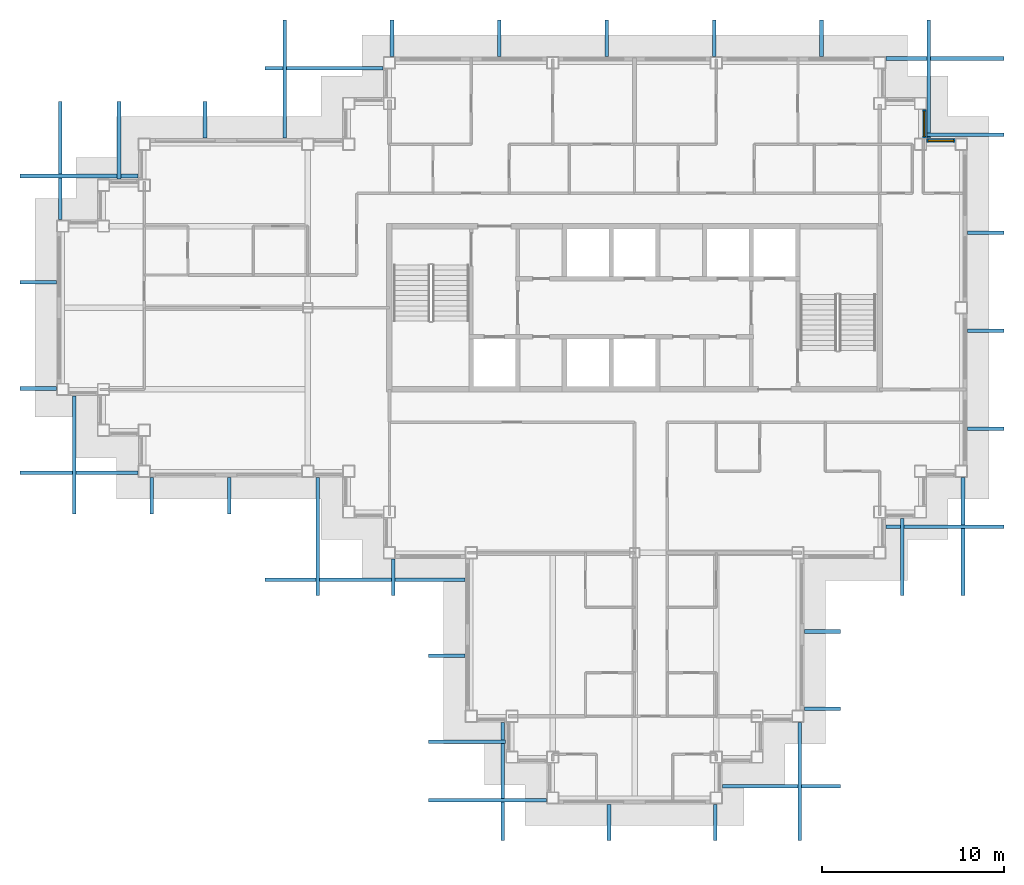
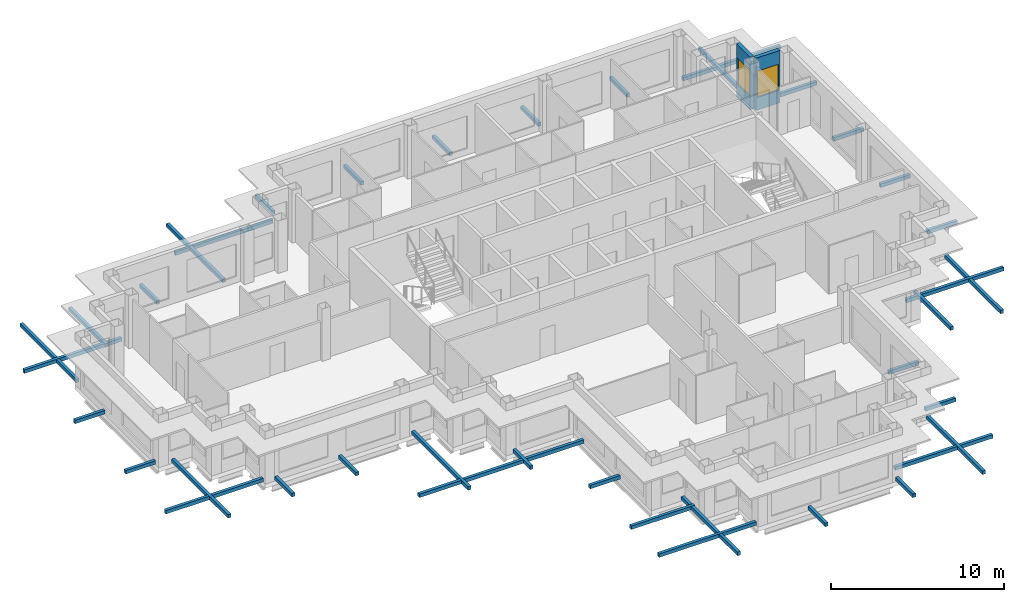
# One storey, part 8 of 12: 39 discrete accessories, 2 walls, 2 windows, 2 openings.
"""IFC4 building model written with IfcOpenShell, lengths in metres."""

import ifcopenshell
import ifcopenshell.guid

model = None  # the IFC model being written
_history = None  # IfcOwnerHistory: only IFC2X3 demands one
_inside = {}  # id of a spatial element -> (the spatial element, [elements in it])
_under = {}  # id of a project, library or spatial element -> (it, [spatial elements below it])
_declared = {}  # id of a project -> (the project, [libraries it declares])
_typed = {}  # id of a type object -> (the type object, [elements of that type])
_made_of = {}  # id of a material, layer set ... -> (it, [elements and type objects made of it])


def new_model(schema):
    """Start an empty IFC model of exactly this schema.

    Asked for "IFC4X3", IfcOpenShell would pick the latest addendum, in which some entities
    have other attributes; the version numbers below select the first issue.
    IFC2X3 requires an IfcOwnerHistory on every rooted entity: one is made here for all.
    """
    global model, _history
    if schema == "IFC4X3":
        model = ifcopenshell.file(schema_version=(4, 3, 0, 0))
    else:
        model = ifcopenshell.file(schema=schema)
    _inside.clear()
    _under.clear()
    _declared.clear()
    _typed.clear()
    _made_of.clear()
    _history = None
    if model.schema == "IFC2X3":
        org = make("IfcOrganization", Name="unknown")
        user = make(
            "IfcPersonAndOrganization",
            ThePerson=make("IfcPerson", FamilyName="unknown"),
            TheOrganization=org,
        )
        app = make(
            "IfcApplication",
            ApplicationDeveloper=org,
            Version="unknown",
            ApplicationFullName="unknown",
            ApplicationIdentifier="unknown",
        )
        _history = make(
            "IfcOwnerHistory",
            OwningUser=user,
            OwningApplication=app,
            ChangeAction="ADDED",
            CreationDate=0,
        )
    return model


def make(cls, **values):
    """One entity of the class cls with the attributes given. An attribute that is None is left unset."""
    return model.create_entity(
        cls, **{name: value for name, value in values.items() if value is not None}
    )


def rooted(cls, **values):
    """An entity with a GlobalId (a new one), such as an element, a storey or a relation."""
    return make(cls, GlobalId=ifcopenshell.guid.new(), OwnerHistory=_history, **values)


def si_unit(unit_type, name, prefix=None):
    """IfcSIUnit, for example si_unit("LENGTHUNIT", "METRE", prefix="MILLI")."""
    return make("IfcSIUnit", UnitType=unit_type, Prefix=prefix, Name=name)


def assignment(units):
    """IfcUnitAssignment: the units of a project."""
    return None if units is None else make("IfcUnitAssignment", Units=units)


def point(xyz):
    """IfcCartesianPoint."""
    return None if xyz is None else make("IfcCartesianPoint", Coordinates=xyz)


def direction(xyz):
    """IfcDirection."""
    return None if xyz is None else make("IfcDirection", DirectionRatios=xyz)


def frame(location, z_axis=None, x_axis=None):
    """IfcAxis2Placement3D, a coordinate frame: its origin and axes. An axis left out is left unset."""
    return make(
        "IfcAxis2Placement3D",
        Location=point(location),
        Axis=direction(z_axis),
        RefDirection=direction(x_axis),
    )


def frame_2d(location, x_axis=None):
    """IfcAxis2Placement2D, a coordinate frame in the plane: its origin and x axis."""
    return make(
        "IfcAxis2Placement2D", Location=point(location), RefDirection=direction(x_axis)
    )


def origin():
    """The frame at (0, 0, 0) with its axes left unset."""
    return frame((0.0, 0.0, 0.0))


def origin_2d():
    """The frame at (0, 0) in the plane with its x axis left unset."""
    return frame_2d((0.0, 0.0))


def place(relative_to, where):
    """IfcLocalPlacement: puts the frame where relative to a parent placement (None: the world)."""
    return make(
        "IfcLocalPlacement", PlacementRelTo=relative_to, RelativePlacement=where
    )


def context(
    kind, dimensions, precision=None, world=None, true_north=None, identifier=None
):
    """IfcGeometricRepresentationContext, for example the 3D "Model" context."""
    return make(
        "IfcGeometricRepresentationContext",
        ContextIdentifier=identifier,
        ContextType=kind,
        CoordinateSpaceDimension=dimensions,
        Precision=precision,
        WorldCoordinateSystem=world,
        TrueNorth=true_north,
    )


def subcontext(parent, identifier, kind, view, scale=None):
    """IfcGeometricRepresentationSubContext, for example "Body" below "Model"."""
    return make(
        "IfcGeometricRepresentationSubContext",
        ContextIdentifier=identifier,
        ContextType=kind,
        ParentContext=parent,
        TargetScale=scale,
        TargetView=view,
    )


def project(units=None, contexts=None):
    """IfcProject with its units and contexts."""
    return rooted(
        "IfcProject",
        Name="project",
        RepresentationContexts=contexts,
        UnitsInContext=assignment(units),
    )


def spatial(cls, under=None, at=None, **own):
    """A site, building, storey or space (cls), placed at a placement, below another one or the project."""
    s = rooted(cls, ObjectPlacement=at, **own)
    if under is not None:
        _under.setdefault(under.id(), (under, []))[1].append(s)
    return s


def profile(cls, at=None, kind="AREA", **sizes):
    """A parametric profile (cls). Its sizes go by their IFC names, for example OverallWidth=200.0."""
    return make(cls, ProfileType=kind, Position=at, **sizes)


def rectangle(**sizes):
    """IfcRectangleProfileDef."""
    return profile("IfcRectangleProfileDef", **sizes)


def extrude(swept, where, along, depth):
    """IfcExtrudedAreaSolid: the profile swept, set in the frame where, extruded along a direction by depth."""
    return make(
        "IfcExtrudedAreaSolid",
        SweptArea=swept,
        Position=where,
        ExtrudedDirection=direction(along),
        Depth=depth,
    )


def shape(context_of_items, identifier, shape_type, items):
    """IfcShapeRepresentation: the items that make up one representation, for example the "Body"."""
    return make(
        "IfcShapeRepresentation",
        ContextOfItems=context_of_items,
        RepresentationIdentifier=identifier,
        RepresentationType=shape_type,
        Items=items,
    )


def material(Name=None, Category=None):
    """IfcMaterial."""
    return make("IfcMaterial", Name=Name, Category=Category)


def layer(
    of_material, thickness, ventilated=None, Name=None, Category=None, Priority=None
):
    """IfcMaterialLayer: one layer of a wall or slab, of a material (None: an air gap)."""
    return make(
        "IfcMaterialLayer",
        Material=of_material,
        LayerThickness=thickness,
        IsVentilated=ventilated,
        Name=Name,
        Category=Category,
        Priority=Priority,
    )


def layer_set(layers, Name=None):
    """IfcMaterialLayerSet."""
    return make("IfcMaterialLayerSet", MaterialLayers=layers, LayerSetName=Name)


def made_of(thing, what):
    """Note that an element or type object is made of a material, layer set ...; save() writes the relation."""
    if what is not None:
        _made_of.setdefault(what.id(), (what, []))[1].append(thing)
    return thing


def type_object(cls, material=None, **own):
    """A type object (cls), such as IfcWallType, which elements share."""
    return made_of(rooted(cls, **own), material)


def element(
    cls,
    number,
    at=None,
    inside=None,
    cuts=None,
    type_object=None,
    material=None,
    context=None,
    identifier="Body",
    shape_type=None,
    held_by="IfcProductDefinitionShape",
    body=None,
    shapes=None,
    **own,
):
    """One element of the class cls, such as IfcWall. Its Tag is "e" and its number.

    at: its placement. inside: the storey or other place that contains it. cuts: it is an
    opening in that element (IfcRelVoidsElement). A single representation is given by context,
    identifier, shape_type and body (its items); several are given by shapes. held_by: the class
    of the entity that holds the representations. save() writes the other relations.
    """
    e = rooted(cls, Tag="e%d" % number, ObjectPlacement=at, **own)
    if body is not None:
        shapes = [shape(context, identifier, shape_type, body)]
    if shapes is not None:
        e.Representation = make(held_by, Representations=shapes)
    if inside is not None:
        _inside.setdefault(inside.id(), (inside, []))[1].append(e)
    if cuts is not None:
        rooted(
            "IfcRelVoidsElement", RelatingBuildingElement=cuts, RelatedOpeningElement=e
        )
    if type_object is not None:
        _typed.setdefault(type_object.id(), (type_object, []))[1].append(e)
    return made_of(e, material)


def fill(opening, filler):
    """IfcRelFillsElement: the door or window that sits in an opening."""
    return rooted(
        "IfcRelFillsElement",
        RelatingOpeningElement=opening,
        RelatedBuildingElement=filler,
    )


def aggregate(whole, parts):
    """IfcRelAggregates: a whole, such as a stair, and the parts it consists of."""
    return rooted("IfcRelAggregates", RelatingObject=whole, RelatedObjects=parts)


def save(model, path):
    """Write the relations noted so far, then the file.

    IfcRelAggregates (storeys below a building ...), IfcRelContainedInSpatialStructure (elements
    in a storey), IfcRelDefinesByType, IfcRelAssociatesMaterial and IfcRelDeclares: one each for
    every whole, place, type object, material and project.
    """
    for whole, parts in _under.values():
        aggregate(whole, parts)
    for where, things in _inside.values():
        rooted(
            "IfcRelContainedInSpatialStructure",
            RelatedElements=things,
            RelatingStructure=where,
        )
    for kind, things in _typed.values():
        rooted("IfcRelDefinesByType", RelatedObjects=things, RelatingType=kind)
    for what, things in _made_of.values():
        rooted("IfcRelAssociatesMaterial", RelatedObjects=things, RelatingMaterial=what)
    for by, libraries in _declared.values():
        rooted("IfcRelDeclares", RelatingContext=by, RelatedDefinitions=libraries)
    model.write(path)


model = new_model("IFC4")

# Units and contexts
model_context = context("Model", 3, precision=1e-05, world=origin(), true_north=direction((0.0, 1.0)))
body_context = subcontext(model_context, "Body", "Model", "MODEL_VIEW")
ifc_project = project(units=[si_unit("LENGTHUNIT", "METRE"), si_unit("AREAUNIT", "SQUARE_METRE"), si_unit("VOLUMEUNIT", "CUBIC_METRE"), si_unit("PLANEANGLEUNIT", "RADIAN"), si_unit("MASSUNIT", "GRAM", prefix="KILO")], contexts=[model_context])

# Site, building, storey
site_placement = place(None, origin())
site = spatial("IfcSite", under=ifc_project, at=site_placement, CompositionType="ELEMENT")
building_placement = place(site_placement, origin())
building = spatial("IfcBuilding", under=site, at=building_placement, Name="Caravel Reach Hotel and Residences", CompositionType="ELEMENT")
storey_placement = place(building_placement, frame((0.0, 0.0, 218.300048828125)))
storey = spatial("IfcBuildingStorey", under=building, at=storey_placement, Name="L55", CompositionType="ELEMENT", Elevation=218.300048828125)

# Wall, opening, window
ifc_material_1 = material(Name="Insulated rainscreen wall, aluminium cladding", Category="aluminium")
ifc_layer = layer(ifc_material_1, 0.25)
ifc_layer_set = layer_set([ifc_layer], Name="EW1 Tower rainscreen wall")
wall_type = type_object("IfcWallType", Name="EW1 Tower rainscreen wall", PredefinedType="SOLIDWALL", material=ifc_layer_set)
wall_1_placement = place(storey_placement, frame((49.175048828125, 36.199951171875, 0.0), z_axis=(0.0, 0.0, 1.0), x_axis=(-1.0, 0.0, 0.0)))
wall_1 = element("IfcWall", 1, at=wall_1_placement, inside=storey, type_object=wall_type, Name="External wall L55 N7.1", PredefinedType="SOLIDWALL", context=body_context, shape_type="SweptSolid", body=[
    extrude(rectangle(XDim=1.60009765625, YDim=0.25, at=frame_2d((0.800048828125, 0.0))), origin(), (0.0, 0.0, 1.0), 3.699951171875),
])
opening_1_placement = place(wall_1_placement, frame((0.10009765625, 0.0, 0.89990234375)))
opening_1 = element("IfcOpeningElement", 2, at=opening_1_placement, cuts=wall_1, Name="Opening WN22", PredefinedType="OPENING", context=body_context, shape_type="SweptSolid", body=[
    extrude(rectangle(XDim=1.39990234375, YDim=1.85009765625, at=frame_2d((0.699951171875, 0.925048828125))), frame((0.0, 0.135009765625, 0.0), z_axis=(0.0, -1.0, 0.0), x_axis=(1.0, 0.0, 0.0)), (0.0, 0.0, 1.0), 0.27001953125),
])
ifc_material_2 = material(Name="Dark low-e glazing in black aluminium frame", Category="aluminium")
window_type = type_object("IfcWindowType", Name="Residence bedroom window 1400 x 1850", PartitioningType="SINGLE_PANEL", PredefinedType="WINDOW", material=ifc_material_2)
window_1_placement = place(opening_1_placement, origin())
window_1 = element("IfcWindow", 3, at=window_1_placement, inside=storey, type_object=window_type, Name="Window L55 N7.1.1", OverallHeight=1.85009765625, OverallWidth=1.39990234375, PartitioningType="SINGLE_PANEL", PredefinedType="WINDOW", context=body_context, shape_type="SweptSolid", body=[
    extrude(rectangle(XDim=1.39990234375, YDim=1.85009765625, at=frame_2d((0.699951171875, 0.925048828125))), frame((0.0, 0.030029296875, 0.0), z_axis=(0.0, -1.0, 0.0), x_axis=(1.0, 0.0, 0.0)), (0.0, 0.0, 1.0), 0.06005859375),
])
fill(opening_1, window_1)

wall_2_placement = place(storey_placement, frame((47.449951171875, 36.324951171875, 0.0), z_axis=(0.0, 0.0, 1.0), x_axis=(0.0, 1.0, 0.0)))
wall_2 = element("IfcWall", 4, at=wall_2_placement, inside=storey, type_object=wall_type, Name="External wall L55 E8.1", PredefinedType="SOLIDWALL", context=body_context, shape_type="SweptSolid", body=[
    extrude(rectangle(XDim=1.60009765625, YDim=0.25, at=frame_2d((0.800048828125, 0.0))), origin(), (0.0, 0.0, 1.0), 3.699951171875),
])
opening_2_placement = place(wall_2_placement, frame((0.10009765625, 0.0, 0.89990234375)))
opening_2 = element("IfcOpeningElement", 5, at=opening_2_placement, cuts=wall_2, Name="Opening WN22", PredefinedType="OPENING", context=body_context, shape_type="SweptSolid", body=[
    extrude(rectangle(XDim=1.39990234375, YDim=1.85009765625, at=frame_2d((0.699951171875, 0.925048828125))), frame((0.0, 0.135009765625, 0.0), z_axis=(0.0, -1.0, 0.0), x_axis=(1.0, 0.0, 0.0)), (0.0, 0.0, 1.0), 0.27001953125),
])
window_2_placement = place(opening_2_placement, origin())
window_2 = element("IfcWindow", 6, at=window_2_placement, inside=storey, type_object=window_type, Name="Window L55 E8.1.1", OverallHeight=1.85009765625, OverallWidth=1.39990234375, PartitioningType="SINGLE_PANEL", PredefinedType="WINDOW", context=body_context, shape_type="SweptSolid", body=[
    extrude(rectangle(XDim=1.39990234375, YDim=1.85009765625, at=frame_2d((0.699951171875, 0.925048828125))), frame((0.0, 0.030029296875, 0.0), z_axis=(0.0, -1.0, 0.0), x_axis=(1.0, 0.0, 0.0)), (0.0, 0.0, 1.0), 0.06005859375),
])
fill(opening_2, window_2)

# Discrete accessories
ifc_material_3 = material(Name="Black powder-coated aluminium", Category="aluminium")
discrete_accessory_type = type_object("IfcDiscreteAccessoryType", Name="BR1 Screen bracket", PredefinedType="BRACKET", material=ifc_material_3)
discrete_accessory_1_placement = place(storey_placement, frame((39.60009765625, 0.63671875, 0.099853515625), z_axis=(0.0, 0.0, 1.0), x_axis=(1.0, 0.0, 0.0)))
element("IfcDiscreteAccessory", 7, at=discrete_accessory_1_placement, inside=storey, type_object=discrete_accessory_type, Name="Screen bracket L55 1.1.2", PredefinedType="BRACKET", context=body_context, shape_type="SweptSolid", body=[
    extrude(rectangle(XDim=6.5, YDim=0.199951171875, at=origin_2d()), origin(), (0.0, 0.0, 1.0), 0.25),
])
for number, where, z_axis, x_axis, name in (
    (8, (41.85009765625, 4.9033203125, 0.099853515625), (0.0, 0.0, 1.0), (1.0, 0.0, 0.0), "Screen bracket L55 1.2.2"),
    (9, (41.85009765625, 9.169921875, 0.099853515625), (0.0, 0.0, 1.0), (1.0, 0.0, 0.0), "Screen bracket L55 1.3.2"),
):
    element("IfcDiscreteAccessory", number, at=place(storey_placement, frame(where, z_axis=z_axis, x_axis=x_axis)), inside=storey, type_object=discrete_accessory_type, Name=name, PredefinedType="BRACKET", context=body_context, shape_type="SweptSolid", body=[
        extrude(rectangle(XDim=2.0, YDim=0.199951171875, at=origin_2d()), origin(), (0.0, 0.0, 1.0), 0.25),
    ])
discrete_accessory_2_placement = place(storey_placement, frame((46.2451171875, 13.27490234375, 0.099853515625), z_axis=(0.0, 0.0, 1.0), x_axis=(0.0, -1.0, 0.0)))
element("IfcDiscreteAccessory", 10, at=discrete_accessory_2_placement, inside=storey, type_object=discrete_accessory_type, Name="Screen bracket L55 2.1.2", PredefinedType="BRACKET", context=body_context, shape_type="SweptSolid", body=[
    extrude(rectangle(XDim=4.25, YDim=0.199951171875, at=origin_2d()), origin(), (0.0, 0.0, 1.0), 0.25),
])
for number, where, z_axis, x_axis, name in (
    (11, (49.594970703125, 14.39990234375, 0.099853515625), (0.0, 0.0, 1.0), (0.0, -1.0, 0.0), "Screen bracket L55 2.2.2"),
    (12, (48.60009765625, 14.929931640625, 0.099853515625), (0.0, 0.0, 1.0), (1.0, 0.0, 0.0), "Screen bracket L55 3.1.2"),
):
    element("IfcDiscreteAccessory", number, at=place(storey_placement, frame(where, z_axis=z_axis, x_axis=x_axis)), inside=storey, type_object=discrete_accessory_type, Name=name, PredefinedType="BRACKET", context=body_context, shape_type="SweptSolid", body=[
        extrude(rectangle(XDim=6.5, YDim=0.199951171875, at=origin_2d()), origin(), (0.0, 0.0, 1.0), 0.25),
    ])
for number, where, z_axis, x_axis, name in (
    (13, (50.85009765625, 20.330078125, 0.099853515625), (0.0, 0.0, 1.0), (1.0, 0.0, 0.0), "Screen bracket L55 3.2.2"),
    (14, (50.85009765625, 25.72998046875, 0.099853515625), (0.0, 0.0, 1.0), (1.0, 0.0, 0.0), "Screen bracket L55 3.3.2"),
    (15, (50.85009765625, 31.1298828125, 0.099853515625), (0.0, 0.0, 1.0), (1.0, 0.0, 0.0), "Screen bracket L55 3.4.2"),
):
    element("IfcDiscreteAccessory", number, at=place(storey_placement, frame(where, z_axis=z_axis, x_axis=x_axis)), inside=storey, type_object=discrete_accessory_type, Name=name, PredefinedType="BRACKET", context=body_context, shape_type="SweptSolid", body=[
        extrude(rectangle(XDim=2.0, YDim=0.199951171875, at=origin_2d()), origin(), (0.0, 0.0, 1.0), 0.25),
    ])
discrete_accessory_3_placement = place(storey_placement, frame((49.72509765625, 36.530029296875, 0.099853515625), z_axis=(0.0, 0.0, 1.0), x_axis=(1.0, 0.0, 0.0)))
element("IfcDiscreteAccessory", 16, at=discrete_accessory_3_placement, inside=storey, type_object=discrete_accessory_type, Name="Screen bracket L55 3.5.2", PredefinedType="BRACKET", context=body_context, shape_type="SweptSolid", body=[
    extrude(rectangle(XDim=4.25, YDim=0.199951171875, at=origin_2d()), origin(), (0.0, 0.0, 1.0), 0.25),
])
for number, where, z_axis, x_axis, name in (
    (17, (48.60009765625, 40.72998046875, 0.099853515625), (0.0, 0.0, 1.0), (1.0, 0.0, 0.0), "Screen bracket L55 3.6.2"),
    (18, (47.7099609375, 39.60009765625, 0.099853515625), (0.0, 0.0, 1.0), (0.0, 1.0, 0.0), "Screen bracket L55 4.1.2"),
):
    element("IfcDiscreteAccessory", number, at=place(storey_placement, frame(where, z_axis=z_axis, x_axis=x_axis)), inside=storey, type_object=discrete_accessory_type, Name=name, PredefinedType="BRACKET", context=body_context, shape_type="SweptSolid", body=[
        extrude(rectangle(XDim=6.5, YDim=0.199951171875, at=origin_2d()), origin(), (0.0, 0.0, 1.0), 0.25),
    ])
for number, where, z_axis, x_axis, name in (
    (19, (41.795654296875, 41.85009765625, 0.099853515625), (0.0, 0.0, 1.0), (0.0, 1.0, 0.0), "Screen bracket L55 4.2.2"),
    (20, (35.88134765625, 41.85009765625, 0.099853515625), (0.0, 0.0, 1.0), (0.0, 1.0, 0.0), "Screen bracket L55 4.3.2"),
    (21, (29.967041015625, 41.85009765625, 0.099853515625), (0.0, 0.0, 1.0), (0.0, 1.0, 0.0), "Screen bracket L55 4.4.2"),
    (22, (24.052978515625, 41.85009765625, 0.099853515625), (0.0, 0.0, 1.0), (0.0, 1.0, 0.0), "Screen bracket L55 4.5.2"),
    (23, (18.138671875, 41.85009765625, 0.099853515625), (0.0, 0.0, 1.0), (0.0, 1.0, 0.0), "Screen bracket L55 4.6.2"),
):
    element("IfcDiscreteAccessory", number, at=place(storey_placement, frame(where, z_axis=z_axis, x_axis=x_axis)), inside=storey, type_object=discrete_accessory_type, Name=name, PredefinedType="BRACKET", context=body_context, shape_type="SweptSolid", body=[
        extrude(rectangle(XDim=2.0, YDim=0.199951171875, at=origin_2d()), origin(), (0.0, 0.0, 1.0), 0.25),
    ])
for number, where, z_axis, x_axis, name in (
    (24, (12.224365234375, 39.60009765625, 0.099853515625), (0.0, 0.0, 1.0), (0.0, 1.0, 0.0), "Screen bracket L55 4.7.2"),
    (25, (14.39990234375, 40.18994140625, 0.099853515625), (0.0, 0.0, 1.0), (-1.0, 0.0, 0.0), "Screen bracket L55 5.1.2"),
):
    element("IfcDiscreteAccessory", number, at=place(storey_placement, frame(where, z_axis=z_axis, x_axis=x_axis)), inside=storey, type_object=discrete_accessory_type, Name=name, PredefinedType="BRACKET", context=body_context, shape_type="SweptSolid", body=[
        extrude(rectangle(XDim=6.5, YDim=0.199951171875, at=origin_2d()), origin(), (0.0, 0.0, 1.0), 0.25),
    ])
discrete_accessory_4_placement = place(storey_placement, frame((7.836669921875, 37.35009765625, 0.099853515625), z_axis=(0.0, 0.0, 1.0), x_axis=(0.0, 1.0, 0.0)))
element("IfcDiscreteAccessory", 26, at=discrete_accessory_4_placement, inside=storey, type_object=discrete_accessory_type, Name="Screen bracket L55 6.1.2", PredefinedType="BRACKET", context=body_context, shape_type="SweptSolid", body=[
    extrude(rectangle(XDim=2.0, YDim=0.199951171875, at=origin_2d()), origin(), (0.0, 0.0, 1.0), 0.25),
])
discrete_accessory_5_placement = place(storey_placement, frame((3.103271484375, 36.22509765625, 0.099853515625), z_axis=(0.0, 0.0, 1.0), x_axis=(0.0, 1.0, 0.0)))
element("IfcDiscreteAccessory", 27, at=discrete_accessory_5_placement, inside=storey, type_object=discrete_accessory_type, Name="Screen bracket L55 6.2.2", PredefinedType="BRACKET", context=body_context, shape_type="SweptSolid", body=[
    extrude(rectangle(XDim=4.25, YDim=0.199951171875, at=origin_2d()), origin(), (0.0, 0.0, 1.0), 0.25),
])
for number, where, z_axis, x_axis, name in (
    (28, (-0.1298828125, 35.10009765625, 0.099853515625), (0.0, 0.0, 1.0), (0.0, 1.0, 0.0), "Screen bracket L55 6.3.2"),
    (29, (0.89990234375, 34.2548828125, 0.099853515625), (0.0, 0.0, 1.0), (-1.0, 0.0, 0.0), "Screen bracket L55 7.1.2"),
):
    element("IfcDiscreteAccessory", number, at=place(storey_placement, frame(where, z_axis=z_axis, x_axis=x_axis)), inside=storey, type_object=discrete_accessory_type, Name=name, PredefinedType="BRACKET", context=body_context, shape_type="SweptSolid", body=[
        extrude(rectangle(XDim=6.5, YDim=0.199951171875, at=origin_2d()), origin(), (0.0, 0.0, 1.0), 0.25),
    ])
for number, where, z_axis, x_axis, name in (
    (30, (-1.35009765625, 28.405029296875, 0.099853515625), (0.0, 0.0, 1.0), (-1.0, 0.0, 0.0), "Screen bracket L55 7.2.2"),
    (31, (-1.35009765625, 22.554931640625, 0.099853515625), (0.0, 0.0, 1.0), (-1.0, 0.0, 0.0), "Screen bracket L55 7.3.2"),
):
    element("IfcDiscreteAccessory", number, at=place(storey_placement, frame(where, z_axis=z_axis, x_axis=x_axis)), inside=storey, type_object=discrete_accessory_type, Name=name, PredefinedType="BRACKET", context=body_context, shape_type="SweptSolid", body=[
        extrude(rectangle(XDim=2.0, YDim=0.199951171875, at=origin_2d()), origin(), (0.0, 0.0, 1.0), 0.25),
    ])
for number, where, z_axis, x_axis, name in (
    (32, (0.89990234375, 17.905029296875, 0.099853515625), (0.0, 0.0, 1.0), (-1.0, 0.0, 0.0), "Screen bracket L55 7.4.2"),
    (33, (0.63671875, 18.89990234375, 0.099853515625), (0.0, 0.0, 1.0), (0.0, -1.0, 0.0), "Screen bracket L55 8.1.2"),
):
    element("IfcDiscreteAccessory", number, at=place(storey_placement, frame(where, z_axis=z_axis, x_axis=x_axis)), inside=storey, type_object=discrete_accessory_type, Name=name, PredefinedType="BRACKET", context=body_context, shape_type="SweptSolid", body=[
        extrude(rectangle(XDim=6.5, YDim=0.199951171875, at=origin_2d()), origin(), (0.0, 0.0, 1.0), 0.25),
    ])
for number, where, z_axis, x_axis, name in (
    (34, (4.9033203125, 16.64990234375, 0.099853515625), (0.0, 0.0, 1.0), (0.0, -1.0, 0.0), "Screen bracket L55 8.2.2"),
    (35, (9.169921875, 16.64990234375, 0.099853515625), (0.0, 0.0, 1.0), (0.0, -1.0, 0.0), "Screen bracket L55 8.3.2"),
):
    element("IfcDiscreteAccessory", number, at=place(storey_placement, frame(where, z_axis=z_axis, x_axis=x_axis)), inside=storey, type_object=discrete_accessory_type, Name=name, PredefinedType="BRACKET", context=body_context, shape_type="SweptSolid", body=[
        extrude(rectangle(XDim=2.0, YDim=0.199951171875, at=origin_2d()), origin(), (0.0, 0.0, 1.0), 0.25),
    ])
discrete_accessory_6_placement = place(storey_placement, frame((16.64990234375, 12.010009765625, 0.099853515625), z_axis=(0.0, 0.0, 1.0), x_axis=(-1.0, 0.0, 0.0)))
element("IfcDiscreteAccessory", 36, at=discrete_accessory_6_placement, inside=storey, type_object=discrete_accessory_type, Name="Screen bracket L55 9.1.2", PredefinedType="BRACKET", context=body_context, shape_type="SweptSolid", body=[
    extrude(rectangle(XDim=11.0, YDim=0.199951171875, at=origin_2d()), origin(), (0.0, 0.0, 1.0), 0.25),
])
discrete_accessory_7_placement = place(storey_placement, frame((14.054931640625, 14.39990234375, 0.099853515625), z_axis=(0.0, 0.0, 1.0), x_axis=(0.0, -1.0, 0.0)))
element("IfcDiscreteAccessory", 37, at=discrete_accessory_7_placement, inside=storey, type_object=discrete_accessory_type, Name="Screen bracket L55 10.1.2", PredefinedType="BRACKET", context=body_context, shape_type="SweptSolid", body=[
    extrude(rectangle(XDim=6.5, YDim=0.199951171875, at=origin_2d()), origin(), (0.0, 0.0, 1.0), 0.25),
])
for number, where, z_axis, x_axis, name in (
    (38, (18.205078125, 12.14990234375, 0.099853515625), (0.0, 0.0, 1.0), (0.0, -1.0, 0.0), "Screen bracket L55 10.2.2"),
    (39, (21.14990234375, 7.836669921875, 0.099853515625), (0.0, 0.0, 1.0), (-1.0, 0.0, 0.0), "Screen bracket L55 11.1.2"),
):
    element("IfcDiscreteAccessory", number, at=place(storey_placement, frame(where, z_axis=z_axis, x_axis=x_axis)), inside=storey, type_object=discrete_accessory_type, Name=name, PredefinedType="BRACKET", context=body_context, shape_type="SweptSolid", body=[
        extrude(rectangle(XDim=2.0, YDim=0.199951171875, at=origin_2d()), origin(), (0.0, 0.0, 1.0), 0.25),
    ])
discrete_accessory_8_placement = place(storey_placement, frame((22.27490234375, 3.103271484375, 0.099853515625), z_axis=(0.0, 0.0, 1.0), x_axis=(-1.0, 0.0, 0.0)))
element("IfcDiscreteAccessory", 40, at=discrete_accessory_8_placement, inside=storey, type_object=discrete_accessory_type, Name="Screen bracket L55 11.2.2", PredefinedType="BRACKET", context=body_context, shape_type="SweptSolid", body=[
    extrude(rectangle(XDim=4.25, YDim=0.199951171875, at=origin_2d()), origin(), (0.0, 0.0, 1.0), 0.25),
])
for number, where, z_axis, x_axis, name in (
    (41, (23.39990234375, -0.1298828125, 0.099853515625), (0.0, 0.0, 1.0), (-1.0, 0.0, 0.0), "Screen bracket L55 11.3.2"),
    (42, (24.2451171875, 0.89990234375, 0.099853515625), (0.0, 0.0, 1.0), (0.0, -1.0, 0.0), "Screen bracket L55 12.1.2"),
):
    element("IfcDiscreteAccessory", number, at=place(storey_placement, frame(where, z_axis=z_axis, x_axis=x_axis)), inside=storey, type_object=discrete_accessory_type, Name=name, PredefinedType="BRACKET", context=body_context, shape_type="SweptSolid", body=[
        extrude(rectangle(XDim=6.5, YDim=0.199951171875, at=origin_2d()), origin(), (0.0, 0.0, 1.0), 0.25),
    ])
for number, where, z_axis, x_axis, name in (
    (43, (30.094970703125, -1.35009765625, 0.099853515625), (0.0, 0.0, 1.0), (0.0, -1.0, 0.0), "Screen bracket L55 12.2.2"),
    (44, (35.945068359375, -1.35009765625, 0.099853515625), (0.0, 0.0, 1.0), (0.0, -1.0, 0.0), "Screen bracket L55 12.3.2"),
):
    element("IfcDiscreteAccessory", number, at=place(storey_placement, frame(where, z_axis=z_axis, x_axis=x_axis)), inside=storey, type_object=discrete_accessory_type, Name=name, PredefinedType="BRACKET", context=body_context, shape_type="SweptSolid", body=[
        extrude(rectangle(XDim=2.0, YDim=0.199951171875, at=origin_2d()), origin(), (0.0, 0.0, 1.0), 0.25),
    ])
discrete_accessory_9_placement = place(storey_placement, frame((40.594970703125, 0.89990234375, 0.099853515625), z_axis=(0.0, 0.0, 1.0), x_axis=(0.0, -1.0, 0.0)))
element("IfcDiscreteAccessory", 45, at=discrete_accessory_9_placement, inside=storey, type_object=discrete_accessory_type, Name="Screen bracket L55 12.4.2", PredefinedType="BRACKET", context=body_context, shape_type="SweptSolid", body=[
    extrude(rectangle(XDim=6.5, YDim=0.199951171875, at=origin_2d()), origin(), (0.0, 0.0, 1.0), 0.25),
])

save(model, "model.ifc")
